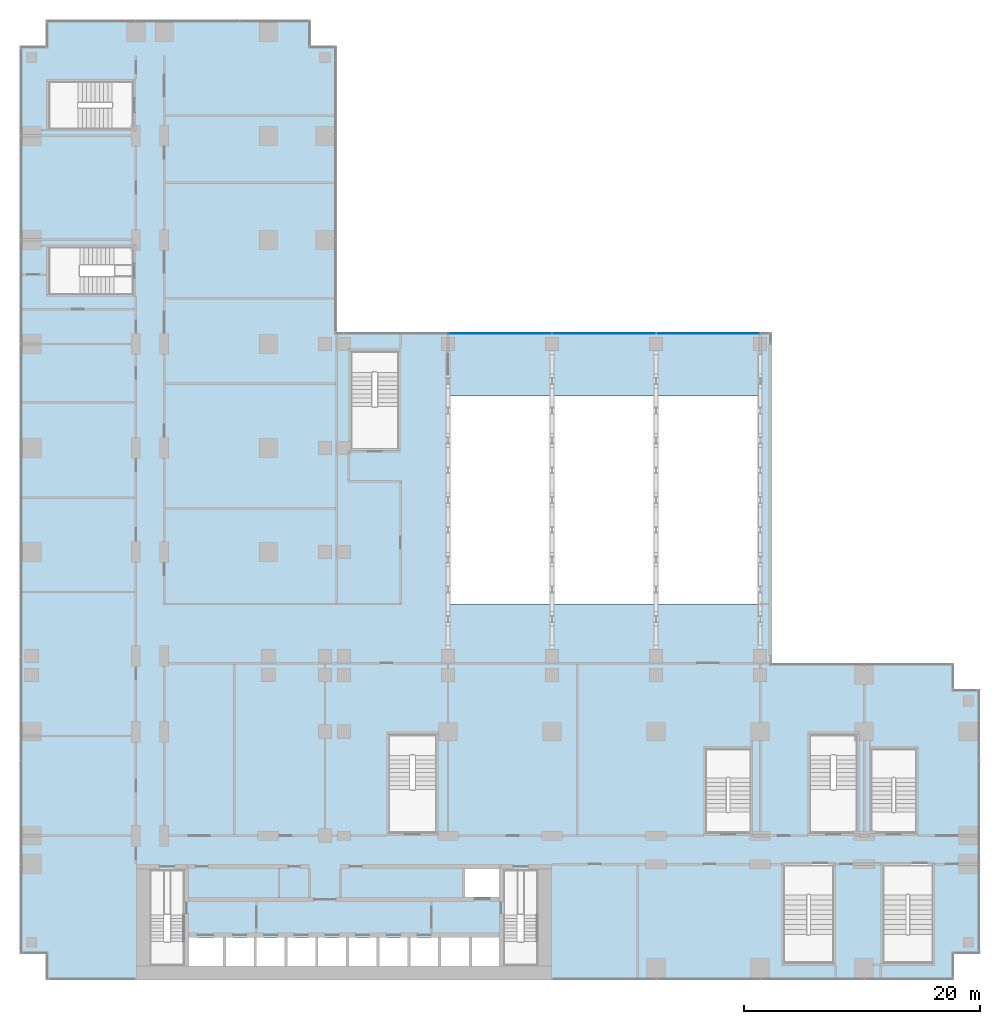
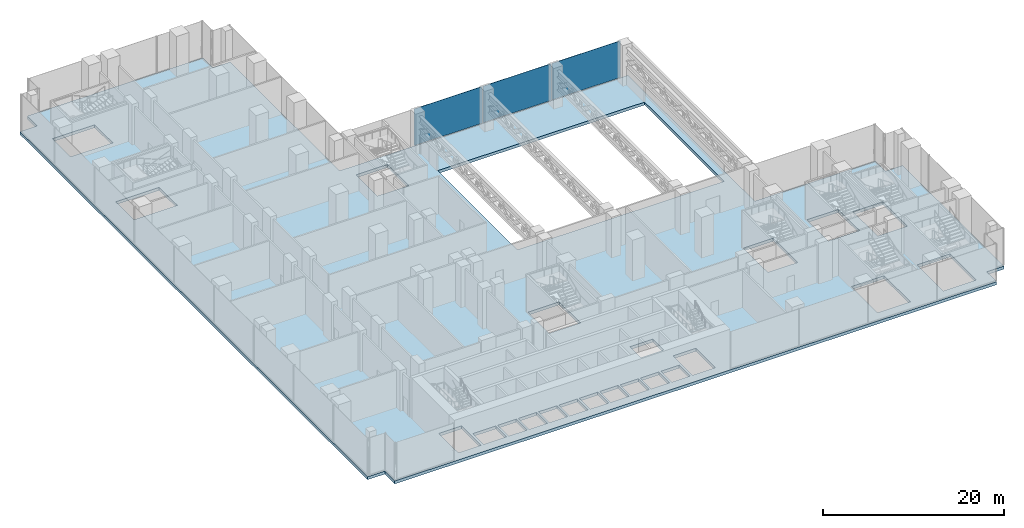
# One storey, part 15 of 30: 3 plates, 1 slab, 1 element without a shape of its own.
"""IFC4 building model written with IfcOpenShell, lengths in metres."""

from ifc_helpers import new_model, si_unit, direction, frame, origin, origin_2d, place, context, subcontext, project, spatial, polyline, rectangle, outline, extrude, source, transform, mapped, material, layer, layer_set, type_object, element, aggregate, save


model = new_model("IFC4")

# Units and contexts
model_context = context("Model", 3, precision=1e-05, world=origin(), true_north=direction((0.0, 1.0)))
body_context = subcontext(model_context, "Body", "Model", "MODEL_VIEW")
ifc_project = project(units=[si_unit("LENGTHUNIT", "METRE"), si_unit("AREAUNIT", "SQUARE_METRE"), si_unit("VOLUMEUNIT", "CUBIC_METRE"), si_unit("PLANEANGLEUNIT", "RADIAN"), si_unit("MASSUNIT", "GRAM", prefix="KILO")], contexts=[model_context])

# Site, building, storey
site_placement = place(None, origin())
site = spatial("IfcSite", under=ifc_project, at=site_placement, CompositionType="ELEMENT")
building_placement = place(site_placement, origin())
building = spatial("IfcBuilding", under=site, at=building_placement, Name="Kemantara Hotel Tower", CompositionType="ELEMENT")
storey_placement = place(building_placement, frame((0.0, 0.0, 23.5)))
storey = spatial("IfcBuildingStorey", under=building, at=storey_placement, Name="L04", CompositionType="ELEMENT", Elevation=23.5)

# Slab
ifc_material_1 = material(Name="Concrete fc 40 MPa", Category="concrete")
ifc_layer_1 = layer(ifc_material_1, 0.39990234375)
ifc_layer_set_1 = layer_set([ifc_layer_1], Name="Concrete fc 40 MPa")
slab_type = type_object("IfcSlabType", Name="REINFORCED DECK SLAB 400", PredefinedType="FLOOR", material=ifc_layer_set_1)
slab_placement = place(storey_placement, frame((0.0, 0.0, -0.39990234375)))
element("IfcSlab", 1, at=slab_placement, inside=storey, type_object=slab_type, Name="FLOOR SLAB L04", PredefinedType="FLOOR", context=body_context, shape_type="SweptSolid", body=[
    extrude(outline(polyline([(0.0, 2.199951171875), (2.199951171875, 2.199951171875), (2.199951171875, 0.0), (79.0, 0.0), (79.0, 2.199951171875), (81.199951171875, 2.199951171875), (81.199951171875, 24.60009765625), (79.0, 24.60009765625), (79.0, 26.800048828125), (63.60009765625, 26.800048828125), (63.60009765625, 54.800048828125), (26.800048828125, 54.800048828125), (26.800048828125, 79.0), (24.60009765625, 79.0), (24.60009765625, 81.199951171875), (2.199951171875, 81.199951171875), (2.199951171875, 79.0), (0.0, 79.0), (0.0, 2.199951171875)]), holes=[polyline([(17.175048828125, 1.199951171875), (14.22509765625, 1.199951171875), (14.22509765625, 3.60009765625), (17.175048828125, 3.60009765625), (17.175048828125, 1.199951171875)]), polyline([(19.77490234375, 1.199951171875), (17.425048828125, 1.199951171875), (17.425048828125, 3.60009765625), (19.77490234375, 3.60009765625), (19.77490234375, 1.199951171875)]), polyline([(22.375, 1.199951171875), (20.02490234375, 1.199951171875), (20.02490234375, 3.60009765625), (22.375, 3.60009765625), (22.375, 1.199951171875)]), polyline([(22.625, 1.199951171875), (22.625, 3.60009765625), (24.97509765625, 3.60009765625), (24.97509765625, 1.199951171875), (22.625, 1.199951171875)]), polyline([(25.22509765625, 1.199951171875), (25.22509765625, 3.60009765625), (27.574951171875, 3.60009765625), (27.574951171875, 1.199951171875), (25.22509765625, 1.199951171875)]), polyline([(30.175048828125, 1.199951171875), (27.824951171875, 1.199951171875), (27.824951171875, 3.60009765625), (30.175048828125, 3.60009765625), (30.175048828125, 1.199951171875)]), polyline([(30.425048828125, 1.199951171875), (30.425048828125, 3.60009765625), (32.77490234375, 3.60009765625), (32.77490234375, 1.199951171875), (30.425048828125, 1.199951171875)]), polyline([(11.0, 5.49951171875), (13.89990234375, 5.49951171875), (13.89990234375, 1.199951171875), (11.0, 1.199951171875), (11.0, 5.49951171875)]), polyline([(35.199951171875, 20.800048828125), (35.199951171875, 16.1005859375), (31.199951171875, 16.1005859375), (31.199951171875, 20.800048828125), (35.199951171875, 20.800048828125)]), polyline([(32.0, 48.50048828125), (28.0, 48.50048828125), (28.0, 53.199951171875), (32.0, 53.199951171875), (32.0, 48.50048828125)]), polyline([(7.949462890625, 62.0), (7.949462890625, 58.0), (2.39990234375, 58.0), (2.39990234375, 62.0), (7.949462890625, 62.0)]), polyline([(2.39990234375, 76.0), (7.79931640625, 76.0), (7.79931640625, 72.0), (2.39990234375, 72.0), (2.39990234375, 76.0)]), polyline([(33.02490234375, 1.199951171875), (33.02490234375, 3.60009765625), (35.375, 3.60009765625), (35.375, 1.199951171875), (33.02490234375, 1.199951171875)]), polyline([(35.625, 1.199951171875), (35.625, 3.60009765625), (37.97509765625, 3.60009765625), (37.97509765625, 1.199951171875), (35.625, 1.199951171875)]), polyline([(40.574951171875, 1.199951171875), (38.22509765625, 1.199951171875), (38.22509765625, 3.60009765625), (40.574951171875, 3.60009765625), (40.574951171875, 1.199951171875)]), polyline([(40.89990234375, 5.49951171875), (43.800048828125, 5.49951171875), (43.800048828125, 1.199951171875), (40.89990234375, 1.199951171875), (40.89990234375, 5.49951171875)]), polyline([(64.60009765625, 7.199462890625), (68.800048828125, 7.199462890625), (68.800048828125, 1.39990234375), (64.60009765625, 1.39990234375), (64.60009765625, 7.199462890625)]), polyline([(73.0, 1.39990234375), (73.0, 7.199462890625), (77.199951171875, 7.199462890625), (77.199951171875, 1.39990234375), (73.0, 1.39990234375)]), polyline([(37.625, 7.0), (37.625, 9.39990234375), (40.574951171875, 9.39990234375), (40.574951171875, 7.0), (37.625, 7.0)]), polyline([(61.800048828125, 14.20068359375), (58.0, 14.20068359375), (58.0, 19.60009765625), (61.800048828125, 19.60009765625), (61.800048828125, 14.20068359375)]), polyline([(75.800048828125, 19.60009765625), (75.800048828125, 14.20068359375), (72.0, 14.20068359375), (72.0, 19.60009765625), (75.800048828125, 19.60009765625)]), polyline([(70.800048828125, 16.1005859375), (66.800048828125, 16.1005859375), (66.800048828125, 20.800048828125), (70.800048828125, 20.800048828125), (70.800048828125, 16.1005859375)]), polyline([(36.199951171875, 31.800048828125), (36.199951171875, 49.39990234375), (62.60009765625, 49.39990234375), (62.60009765625, 31.800048828125), (36.199951171875, 31.800048828125)])]), origin(), (0.0, 0.0, 1.0), 0.39990234375),
])

# Curtain wall, plates
ifc_material_2 = material(Name="Laminated tinted insulated glass 44 mm", Category="glass")
curtain_wall_type = type_object("IfcCurtainWallType", Name="PODIUM GLASS CURTAIN WALL", PredefinedType="USERDEFINED", material=ifc_material_2)
curtain_wall_placement = place(storey_placement, origin())
curtain_wall = element("IfcCurtainWall", 2, at=curtain_wall_placement, inside=storey, type_object=curtain_wall_type, Name="CW1 L04 POD-R09-1", ObjectType="PODIUM GLASS CURTAIN WALL", PredefinedType="USERDEFINED")
ifc_layer_2 = layer(ifc_material_2, 0.0439453125)
ifc_layer_set_2 = layer_set([ifc_layer_2], Name="Laminated tinted insulated glass 44 mm")
plate_type = type_object("IfcPlateType", Name="PODIUM GLASS CURTAIN WALL PANEL", PredefinedType="CURTAIN_PANEL", material=ifc_layer_set_2)
shared_shape = source(origin(), body_context, "Body", "SweptSolid", [
    extrude(rectangle(XDim=8.72509765625, YDim=0.0439453125, at=origin_2d()), origin(), (0.0, 0.0, 1.0), 4.949951171875),
])
plate_1_placement = place(storey_placement, frame((58.199951171875, 54.699951171875, 0.14990234375), z_axis=(0.0, 0.0, 1.0), x_axis=(-1.0, 0.0, 0.0)))
plate_1 = element("IfcPlate", 3, at=plate_1_placement, type_object=plate_type, Name="CW1 glass panel POD-R09-1.2", PredefinedType="CURTAIN_PANEL", context=body_context, shape_type="MappedRepresentation", body=[
    mapped(shared_shape, transform((0.0, 0.0, 0.0))),
])
plate_2_placement = place(storey_placement, frame((49.39990234375, 54.699951171875, 0.14990234375), z_axis=(0.0, 0.0, 1.0), x_axis=(-1.0, 0.0, 0.0)))
plate_2 = element("IfcPlate", 4, at=plate_2_placement, type_object=plate_type, Name="CW1 glass panel POD-R09-1.3", PredefinedType="CURTAIN_PANEL", context=body_context, shape_type="MappedRepresentation", body=[
    mapped(shared_shape, transform((0.0, 0.0, 0.0))),
])
plate_3_placement = place(storey_placement, frame((40.60009765625, 54.699951171875, 0.14990234375), z_axis=(0.0, 0.0, 1.0), x_axis=(-1.0, 0.0, 0.0)))
plate_3 = element("IfcPlate", 5, at=plate_3_placement, type_object=plate_type, Name="CW1 glass panel POD-R09-1.4", PredefinedType="CURTAIN_PANEL", context=body_context, shape_type="MappedRepresentation", body=[
    mapped(shared_shape, transform((0.0, 0.0, 0.0))),
])
aggregate(curtain_wall, [plate_1, plate_2, plate_3])

save(model, "model.ifc")
